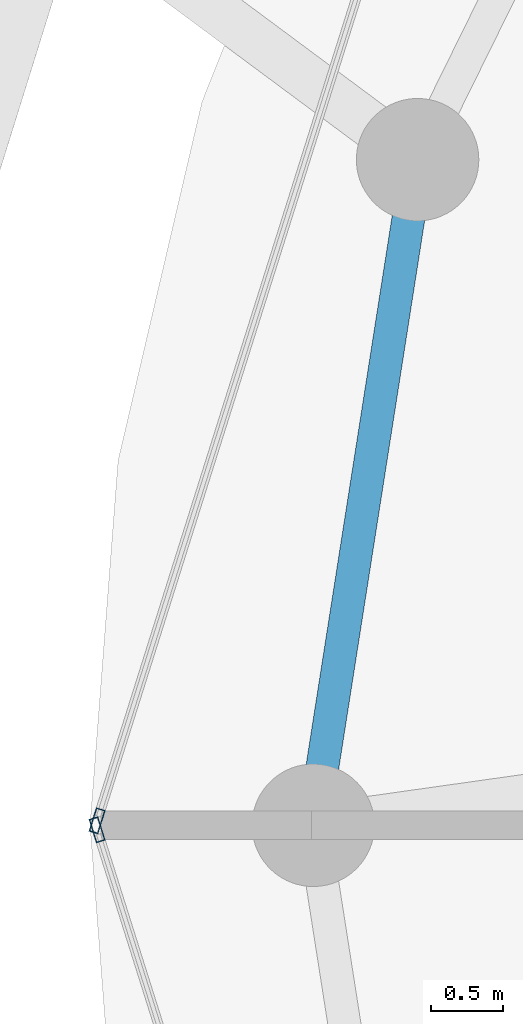
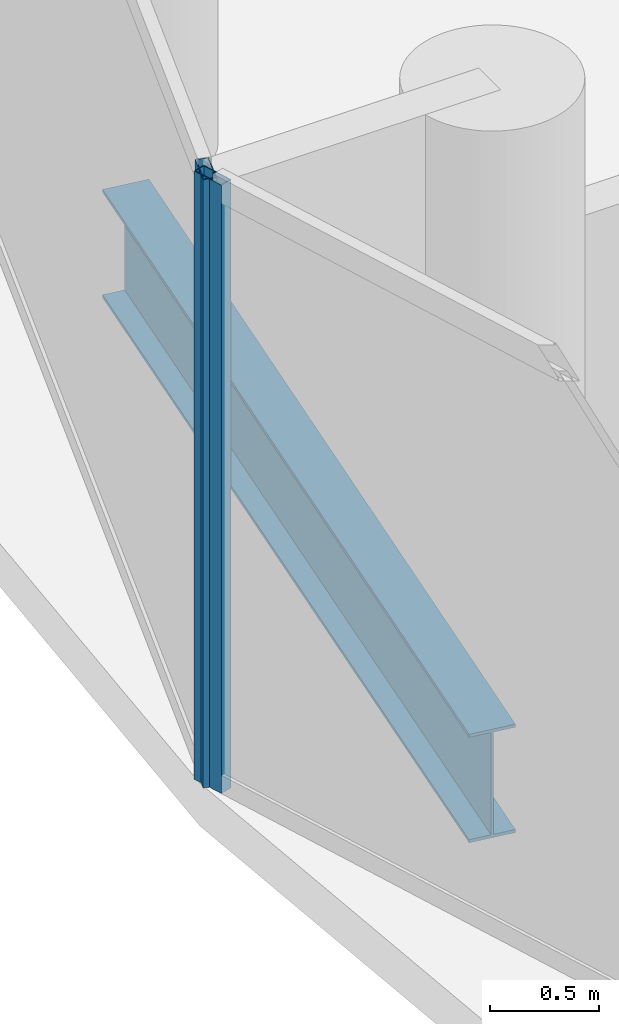
# One storey, part 7 of 27: 2 members, 1 beam, 2 elements without a shape of their own.
"""IFC4 building model written with IfcOpenShell, lengths in metres."""

from ifc_helpers import new_model, si_unit, direction, frame, origin, origin_2d, place, context, subcontext, project, spatial, hollow_rectangle, i_section, extrude, material, layer, layer_set, material_profile, profile_set, type_object, element, aggregate, save


model = new_model("IFC4")

# Units and contexts
model_context = context("Model", 3, precision=1e-05, world=origin(), true_north=direction((0.0, 1.0)))
body_context = subcontext(model_context, "Body", "Model", "MODEL_VIEW")
ifc_project = project(units=[si_unit("LENGTHUNIT", "METRE"), si_unit("AREAUNIT", "SQUARE_METRE"), si_unit("VOLUMEUNIT", "CUBIC_METRE"), si_unit("PLANEANGLEUNIT", "RADIAN"), si_unit("MASSUNIT", "GRAM", prefix="KILO")], contexts=[model_context])

# Site, building, storey
site_placement = place(None, origin())
site = spatial("IfcSite", under=ifc_project, at=site_placement, CompositionType="ELEMENT")
building_placement = place(site_placement, origin())
building = spatial("IfcBuilding", under=site, at=building_placement, Name="Nuhasar Tower", CompositionType="ELEMENT")
storey_placement = place(building_placement, frame((0.0, 0.0, 219.10009765625)))
storey = spatial("IfcBuildingStorey", under=building, at=storey_placement, Name="L53", CompositionType="ELEMENT", Elevation=219.10009765625)

# Beam
ifc_material_1 = material(Name="Steel S355", Category="steel")
ifc_material_profile_1 = material_profile(ifc_material_1, i_section(OverallWidth=0.22802734375, OverallDepth=0.60791015625, WebThickness=0.01123046875, FlangeThickness=0.017333984375, at=origin_2d()), Name="W24X76")
ifc_profile_set_1 = profile_set([ifc_material_profile_1], Name="Steel S355")
beam_type = type_object("IfcBeamType", Name="BM-RING-W24X76", PredefinedType="SPANDREL", material=ifc_profile_set_1)
beam_placement = place(storey_placement, frame((18.47412109375, 31.419921875, -0.544189453125), z_axis=(-0.154849872935, -0.987938012657, 0.0), x_axis=(0.987938012657, -0.154849872935, 0.0)))
element("IfcBeam", 1, at=beam_placement, inside=storey, type_object=beam_type, Name="L53 Perimeter Ring Spandrel 12", PredefinedType="SPANDREL", context=body_context, shape_type="SweptSolid", body=[
    extrude(i_section(OverallWidth=0.22802734375, OverallDepth=0.60791015625, WebThickness=0.01123046875, FlangeThickness=0.017333984375, at=origin_2d()), origin(), (0.0, 0.0, 1.0), 4.67626953125),
])

# Curtain wall, member
ifc_material_2 = material(Name="Aluminium 6063-T6", Category="aluminium")
ifc_layer = layer(ifc_material_2, 0.18994140625)
ifc_layer_set = layer_set([ifc_layer], Name="Aluminium 6063-T6")
curtain_wall_type = type_object("IfcCurtainWallType", Name="CW-Z3-RES", PredefinedType="NOTDEFINED", material=ifc_layer_set)
curtain_wall_1_placement = place(storey_placement, origin())
curtain_wall_1 = element("IfcCurtainWall", 2, at=curtain_wall_1_placement, inside=storey, type_object=curtain_wall_type, Name="L53 Unitised Curtain Wall 06", PredefinedType="NOTDEFINED")
ifc_material_profile_2 = material_profile(ifc_material_2, hollow_rectangle(XDim=0.06494140625, YDim=0.169921875, WallThickness=0.0048828125, at=origin_2d()), Name="CWM-4")
ifc_profile_set_2 = profile_set([ifc_material_profile_2], Name="Aluminium 6063-T6")
member_type = type_object("IfcMemberType", Name="CW-MUL-S4", PredefinedType="MULLION", material=ifc_profile_set_2)
member_1_placement = place(storey_placement, frame((16.249755859375, 26.8310546875, 0.0), z_axis=(0.0, 0.0, 1.0), x_axis=(0.95380429279, -0.30042864553, 0.0)))
member_1 = element("IfcMember", 3, at=member_1_placement, type_object=member_type, Name="CW-Z3 mullion 2", PredefinedType="MULLION", context=body_context, shape_type="SweptSolid", body=[
    extrude(hollow_rectangle(XDim=0.06494140625, YDim=0.169921875, WallThickness=0.0048828125, at=origin_2d()), origin(), (0.0, 0.0, 1.0), 3.409912109375),
])
aggregate(curtain_wall_1, [member_1])

curtain_wall_2_placement = place(storey_placement, origin())
curtain_wall_2 = element("IfcCurtainWall", 4, at=curtain_wall_2_placement, inside=storey, type_object=curtain_wall_type, Name="L53 Unitised Curtain Wall 07", PredefinedType="NOTDEFINED")
member_2_placement = place(storey_placement, frame((16.249755859375, 26.76904296875, 0.0), z_axis=(0.0, 0.0, 1.0), x_axis=(0.95380429279, 0.30042864553, 0.0)))
member_2 = element("IfcMember", 5, at=member_2_placement, type_object=member_type, Name="CW-Z3 mullion 1", PredefinedType="MULLION", context=body_context, shape_type="SweptSolid", body=[
    extrude(hollow_rectangle(XDim=0.06494140625, YDim=0.169921875, WallThickness=0.0048828125, at=origin_2d()), origin(), (0.0, 0.0, 1.0), 3.409912109375),
])
aggregate(curtain_wall_2, [member_2])

save(model, "model.ifc")
